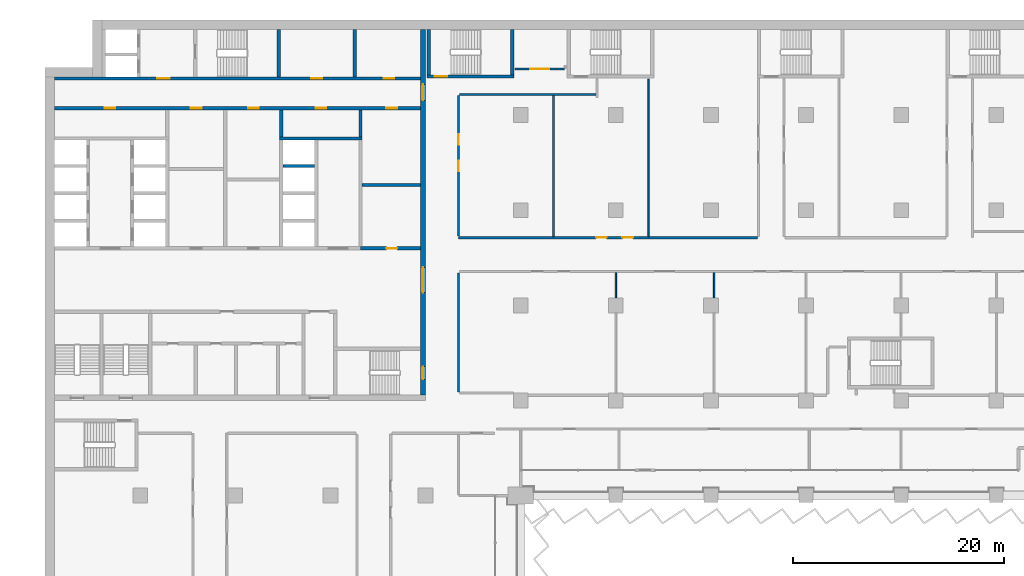
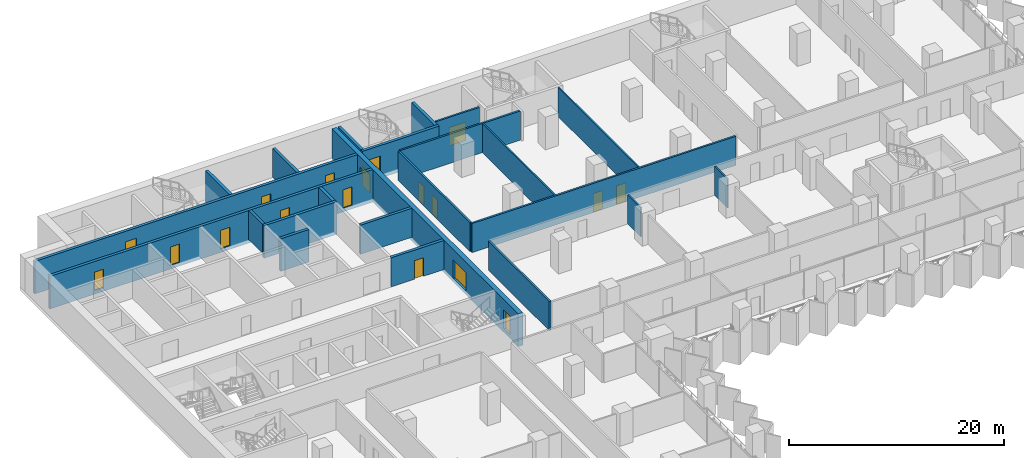
# One storey, part 16 of 29: 23 walls, 18 doors, 18 openings.
"""IFC4 building model written with IfcOpenShell, lengths in metres."""

from ifc_helpers import new_model, si_unit, direction, frame, frame_2d, origin, place, context, subcontext, project, spatial, rectangle, extrude, material, layer, layer_set, type_object, element, fill, save


model = new_model("IFC4")

# Units and contexts
model_context = context("Model", 3, precision=1e-05, world=origin(), true_north=direction((0.0, 1.0)))
body_context = subcontext(model_context, "Body", "Model", "MODEL_VIEW")
ifc_project = project(units=[si_unit("LENGTHUNIT", "METRE"), si_unit("AREAUNIT", "SQUARE_METRE"), si_unit("VOLUMEUNIT", "CUBIC_METRE"), si_unit("PLANEANGLEUNIT", "RADIAN"), si_unit("MASSUNIT", "GRAM", prefix="KILO")], contexts=[model_context])

# Site, building, storey
site_placement = place(None, origin())
site = spatial("IfcSite", under=ifc_project, at=site_placement, CompositionType="ELEMENT")
building_placement = place(site_placement, origin())
building = spatial("IfcBuilding", under=site, at=building_placement, Name="Hunhe Ridgeline Campus", CompositionType="ELEMENT")
storey_placement = place(building_placement, frame((0.0, 0.0, 65.39990234375)))
storey = spatial("IfcBuildingStorey", under=building, at=storey_placement, Name="L15", CompositionType="ELEMENT", Elevation=65.39990234375)

# Wall, opening, door
ifc_material_1 = material(Name="Masonry concrete blockwork", Category="masonry")
ifc_layer_1 = layer(ifc_material_1, 0.300048828125)
ifc_layer_set_1 = layer_set([ifc_layer_1], Name="Core room partition 300 concrete block")
wall_type_1 = type_object("IfcWallType", Name="Core room partition 300 concrete block", PredefinedType="PARTITIONING", material=ifc_layer_set_1)
wall_1_placement = place(storey_placement, frame((29.85009765625, 77.39990234375, 0.0), z_axis=(0.0, 0.0, 1.0), x_axis=(1.0, 0.0, 0.0)))
wall_1 = element("IfcWall", 1, at=wall_1_placement, inside=storey, type_object=wall_type_1, Name="L15 core partition 15", PredefinedType="PARTITIONING", context=body_context, shape_type="SweptSolid", body=[
    extrude(rectangle(XDim=5.64990234375, YDim=0.300048828125, at=frame_2d((2.824951171875, 0.0))), origin(), (0.0, 0.0, 1.0), 3.300048828125),
])
opening_1_placement = place(wall_1_placement, frame((2.449951171875, 0.0, 0.0)))
opening_1 = element("IfcOpeningElement", 2, at=opening_1_placement, cuts=wall_1, Name="Opening CD32", PredefinedType="OPENING", context=body_context, shape_type="SweptSolid", body=[
    extrude(rectangle(XDim=1.0, YDim=2.10009765625, at=frame_2d((0.5, 1.050048828125))), frame((0.0, 0.14990234375, 0.0), z_axis=(0.0, -1.0, 0.0), x_axis=(1.0, 0.0, 0.0)), (0.0, 0.0, 1.0), 0.300048828125),
])
ifc_material_2 = material(Name="Solid core timber door leaf", Category="wood")
door_type_1 = type_object("IfcDoorType", Name="Timber door 1000x2100", OperationType="SINGLE_SWING_LEFT", PredefinedType="DOOR", material=ifc_material_2)
door_1_placement = place(opening_1_placement, origin())
door_1 = element("IfcDoor", 3, at=door_1_placement, inside=storey, type_object=door_type_1, Name="L15 door ES0", OperationType="SINGLE_SWING_RIGHT", OverallHeight=2.10009765625, OverallWidth=1.0, PredefinedType="DOOR", context=body_context, shape_type="SweptSolid", body=[
    extrude(rectangle(XDim=1.0, YDim=2.10009765625, at=frame_2d((0.5, 1.050048828125))), frame((0.0, 0.02490234375, 0.0), z_axis=(0.0, -1.0, 0.0), x_axis=(1.0, 0.0, 0.0)), (0.0, 0.0, 1.0), 0.050048828125),
])
fill(opening_1, door_1)

# Walls
wall_2_placement = place(storey_placement, frame((30.0, 83.39990234375, 0.0), z_axis=(0.0, 0.0, 1.0), x_axis=(1.0, 0.0, 0.0)))
element("IfcWall", 4, at=wall_2_placement, inside=storey, type_object=wall_type_1, Name="L15 core partition 22", PredefinedType="PARTITIONING", context=body_context, shape_type="SweptSolid", body=[
    extrude(rectangle(XDim=5.5, YDim=0.300048828125, at=frame_2d((2.75, 0.0))), origin(), (0.0, 0.0, 1.0), 3.300048828125),
])
wall_3_placement = place(storey_placement, frame((22.35009765625, 87.949951171875, 0.0), z_axis=(0.0, 0.0, 1.0), x_axis=(0.0, 1.0, 0.0)))
element("IfcWall", 5, at=wall_3_placement, inside=storey, type_object=wall_type_1, Name="L15 core partition 55", PredefinedType="PARTITIONING", context=body_context, shape_type="SweptSolid", body=[
    extrude(rectangle(XDim=2.550048828125, YDim=0.300048828125, at=frame_2d((1.27490234375, 0.0))), origin(), (0.0, 0.0, 1.0), 3.300048828125),
])
wall_4_placement = place(storey_placement, frame((29.300048828125, 93.60009765625, 0.0), z_axis=(0.0, 0.0, 1.0), x_axis=(0.0, 1.0, 0.0)))
element("IfcWall", 6, at=wall_4_placement, inside=storey, type_object=wall_type_1, Name="L15 core partition 61", PredefinedType="PARTITIONING", context=body_context, shape_type="SweptSolid", body=[
    extrude(rectangle(XDim=4.5, YDim=0.300048828125, at=frame_2d((2.25, 0.0))), origin(), (0.0, 0.0, 1.0), 3.300048828125),
])
wall_5_placement = place(storey_placement, frame((29.85009765625, 87.949951171875, 0.0), z_axis=(0.0, 0.0, 1.0), x_axis=(0.0, 1.0, 0.0)))
element("IfcWall", 7, at=wall_5_placement, inside=storey, type_object=wall_type_1, Name="L15 core partition 63", PredefinedType="PARTITIONING", context=body_context, shape_type="SweptSolid", body=[
    extrude(rectangle(XDim=2.550048828125, YDim=0.300048828125, at=frame_2d((1.27490234375, 0.0))), origin(), (0.0, 0.0, 1.0), 3.300048828125),
])

# Wall, openings, doors
ifc_material_3 = material(Name="Concrete C80", Category="concrete")
ifc_layer_2 = layer(ifc_material_3, 0.5)
ifc_layer_set_2 = layer_set([ifc_layer_2], Name="Core wall 500 reinforced concrete C80")
wall_type_2 = type_object("IfcWallType", Name="Core wall 500 reinforced concrete C80", PredefinedType="SOLIDWALL", material=ifc_layer_set_2)
wall_6_placement = place(storey_placement, frame((35.75, 63.5, -0.39990234375), z_axis=(0.0, 0.0, 1.0), x_axis=(0.0, 1.0, 0.0)))
wall_6 = element("IfcWall", 8, at=wall_6_placement, inside=storey, type_object=wall_type_2, Name="L15 core wall 64", PredefinedType="SOLIDWALL", context=body_context, shape_type="SweptSolid", body=[
    extrude(rectangle(XDim=34.60009765625, YDim=0.5, at=frame_2d((17.300048828125, 0.0))), origin(), (0.0, 0.0, 1.0), 3.699951171875),
])
opening_2_placement = place(wall_6_placement, frame((9.699951171875, 0.0, 0.39990234375)))
opening_2 = element("IfcOpeningElement", 9, at=opening_2_placement, cuts=wall_6, Name="Opening CD4", PredefinedType="OPENING", context=body_context, shape_type="SweptSolid", body=[
    extrude(rectangle(XDim=2.39990234375, YDim=2.10009765625, at=frame_2d((1.199951171875, 1.050048828125))), frame((0.0, 0.25, 0.0), z_axis=(0.0, -1.0, 0.0), x_axis=(1.0, 0.0, 0.0)), (0.0, 0.0, 1.0), 0.5),
])
opening_3_placement = place(wall_6_placement, frame((27.89990234375, 0.0, 0.39990234375)))
opening_3 = element("IfcOpeningElement", 10, at=opening_3_placement, cuts=wall_6, Name="Opening CD5", PredefinedType="OPENING", context=body_context, shape_type="SweptSolid", body=[
    extrude(rectangle(XDim=1.5, YDim=2.10009765625, at=frame_2d((0.75, 1.050048828125))), frame((0.0, 0.25, 0.0), z_axis=(0.0, -1.0, 0.0), x_axis=(1.0, 0.0, 0.0)), (0.0, 0.0, 1.0), 0.5),
])
opening_4_placement = place(wall_6_placement, frame((1.5, 0.0, 0.39990234375)))
opening_4 = element("IfcOpeningElement", 11, at=opening_4_placement, cuts=wall_6, Name="Opening CD15", PredefinedType="OPENING", context=body_context, shape_type="SweptSolid", body=[
    extrude(rectangle(XDim=1.199951171875, YDim=2.10009765625, at=frame_2d((0.60009765625, 1.050048828125))), frame((0.0, 0.25, 0.0), z_axis=(0.0, -1.0, 0.0), x_axis=(1.0, 0.0, 0.0)), (0.0, 0.0, 1.0), 0.5),
])
ifc_material_4 = material(Name="Anodised aluminium and glass", Category="aluminium")
door_type_2 = type_object("IfcDoorType", Name="Glazed double door 2400x2100", OperationType="DOUBLE_DOOR_SINGLE_SWING", PredefinedType="DOOR", material=ifc_material_4)
door_2_placement = place(opening_2_placement, frame((2.39990234375, 0.0, 0.0), z_axis=(0.0, 0.0, 1.0), x_axis=(-1.0, 0.0, 0.0)))
door_2 = element("IfcDoor", 12, at=door_2_placement, inside=storey, type_object=door_type_2, Name="L15 door HALL-FLOOR", OperationType="DOUBLE_DOOR_SINGLE_SWING", OverallHeight=2.10009765625, OverallWidth=2.39990234375, PredefinedType="DOOR", context=body_context, shape_type="SweptSolid", body=[
    extrude(rectangle(XDim=2.39990234375, YDim=2.10009765625, at=frame_2d((1.199951171875, 1.050048828125))), frame((0.0, 0.02490234375, 0.0), z_axis=(0.0, -1.0, 0.0), x_axis=(1.0, 0.0, 0.0)), (0.0, 0.0, 1.0), 0.050048828125),
])
fill(opening_2, door_2)
ifc_material_5 = material(Name="Hollow metal fire door leaf")
door_type_3 = type_object("IfcDoorType", Name="Stair door 1200x2100 FD60", OperationType="SINGLE_SWING_LEFT", PredefinedType="DOOR", material=ifc_material_5)
door_3_placement = place(opening_4_placement, frame((1.199951171875, 0.0, 0.0), z_axis=(0.0, 0.0, 1.0), x_axis=(-1.0, 0.0, 0.0)))
door_3 = element("IfcDoor", 13, at=door_3_placement, inside=storey, type_object=door_type_3, Name="L15 door S2-FLOOR", OperationType="SINGLE_SWING_RIGHT", OverallHeight=2.10009765625, OverallWidth=1.199951171875, PredefinedType="DOOR", context=body_context, shape_type="SweptSolid", body=[
    extrude(rectangle(XDim=1.199951171875, YDim=2.10009765625, at=frame_2d((0.60009765625, 1.050048828125))), frame((0.0, 0.02490234375, 0.0), z_axis=(0.0, -1.0, 0.0), x_axis=(1.0, 0.0, 0.0)), (0.0, 0.0, 1.0), 0.050048828125),
])
fill(opening_4, door_3)
door_type_4 = type_object("IfcDoorType", Name="Timber door 1500x2100", OperationType="SINGLE_SWING_LEFT", PredefinedType="DOOR", material=ifc_material_2)
door_4_placement = place(opening_3_placement, frame((1.5, 0.0, 0.0), z_axis=(0.0, 0.0, 1.0), x_axis=(-1.0, 0.0, 0.0)))
door_4 = element("IfcDoor", 14, at=door_4_placement, inside=storey, type_object=door_type_4, Name="L15 door C1-FLOOR", OperationType="SINGLE_SWING_RIGHT", OverallHeight=2.10009765625, OverallWidth=1.5, PredefinedType="DOOR", context=body_context, shape_type="SweptSolid", body=[
    extrude(rectangle(XDim=1.5, YDim=2.10009765625, at=frame_2d((0.75, 1.050048828125))), frame((0.0, 0.02490234375, 0.0), z_axis=(0.0, -1.0, 0.0), x_axis=(1.0, 0.0, 0.0)), (0.0, 0.0, 1.0), 0.050048828125),
])
fill(opening_3, door_4)

ifc_material_6 = material(Name="Gypsum board partition")
ifc_layer_3 = layer(ifc_material_6, 0.199951171875)
ifc_layer_set_3 = layer_set([ifc_layer_3], Name="Corridor partition 200 gypsum board on steel studs")
wall_type_3 = type_object("IfcWallType", Name="Corridor partition 200 gypsum board on steel studs", PredefinedType="PARTITIONING", material=ifc_layer_set_3)
wall_7_placement = place(storey_placement, frame((39.10009765625, 78.39990234375, 0.0), z_axis=(0.0, 0.0, 1.0), x_axis=(1.0, 0.0, 0.0)))
wall_7 = element("IfcWall", 15, at=wall_7_placement, inside=storey, type_object=wall_type_3, Name="F-L15-wall-044", PredefinedType="PARTITIONING", context=body_context, shape_type="SweptSolid", body=[
    extrude(rectangle(XDim=28.2998046875, YDim=0.199951171875, at=frame_2d((14.14990234375, 0.0))), origin(), (0.0, 0.0, 1.0), 3.300048828125),
])
opening_5_placement = place(wall_7_placement, frame((13.02392578125, 0.0, 0.0)))
opening_5 = element("IfcOpeningElement", 16, at=opening_5_placement, cuts=wall_7, Name="Opening RD1-036", PredefinedType="OPENING", context=body_context, shape_type="SweptSolid", body=[
    extrude(rectangle(XDim=1.0, YDim=2.10009765625, at=frame_2d((0.5, 1.050048828125))), frame((0.0, 0.10009765625, 0.0), z_axis=(0.0, -1.0, 0.0), x_axis=(1.0, 0.0, 0.0)), (0.0, 0.0, 1.0), 0.199951171875),
])
opening_6_placement = place(wall_7_placement, frame((15.52392578125, 0.0, 0.0)))
opening_6 = element("IfcOpeningElement", 17, at=opening_6_placement, cuts=wall_7, Name="Opening RD1-037", PredefinedType="OPENING", context=body_context, shape_type="SweptSolid", body=[
    extrude(rectangle(XDim=1.0, YDim=2.10009765625, at=frame_2d((0.5, 1.050048828125))), frame((0.0, 0.10009765625, 0.0), z_axis=(0.0, -1.0, 0.0), x_axis=(1.0, 0.0, 0.0)), (0.0, 0.0, 1.0), 0.199951171875),
])
ifc_material_7 = material(Name="Timber door leaf", Category="wood")
door_type_5 = type_object("IfcDoorType", Name="Single fire door 1000x2100 timber FD60", OperationType="NOTDEFINED", PredefinedType="DOOR", material=ifc_material_7)
door_5_placement = place(opening_5_placement, frame((1.0, 0.0, 0.0), z_axis=(0.0, 0.0, 1.0), x_axis=(-1.0, 0.0, 0.0)))
door_5 = element("IfcDoor", 18, at=door_5_placement, inside=storey, type_object=door_type_5, Name="F-L15-door-036", OperationType="SINGLE_SWING_LEFT", OverallHeight=2.10009765625, OverallWidth=1.0, PredefinedType="DOOR", context=body_context, shape_type="SweptSolid", body=[
    extrude(rectangle(XDim=1.0, YDim=2.10009765625, at=frame_2d((0.5, 1.050048828125))), frame((0.0, 0.02490234375, 0.0), z_axis=(0.0, -1.0, 0.0), x_axis=(1.0, 0.0, 0.0)), (0.0, 0.0, 1.0), 0.050048828125),
])
fill(opening_5, door_5)
door_6_placement = place(opening_6_placement, frame((1.0, 0.0, 0.0), z_axis=(0.0, 0.0, 1.0), x_axis=(-1.0, 0.0, 0.0)))
door_6 = element("IfcDoor", 19, at=door_6_placement, inside=storey, type_object=door_type_5, Name="F-L15-door-037", OperationType="SINGLE_SWING_LEFT", OverallHeight=2.10009765625, OverallWidth=1.0, PredefinedType="DOOR", context=body_context, shape_type="SweptSolid", body=[
    extrude(rectangle(XDim=1.0, YDim=2.10009765625, at=frame_2d((0.5, 1.050048828125))), frame((0.0, 0.02490234375, 0.0), z_axis=(0.0, -1.0, 0.0), x_axis=(1.0, 0.0, 0.0)), (0.0, 0.0, 1.0), 0.050048828125),
])
fill(opening_6, door_6)

# Wall
wall_8_placement = place(storey_placement, frame((52.10009765625, 91.949951171875, 0.0), z_axis=(0.0, 0.0, 1.0), x_axis=(-1.0, 0.0, 0.0)))
element("IfcWall", 20, at=wall_8_placement, inside=storey, type_object=wall_type_3, Name="F-L15-wall-048", PredefinedType="PARTITIONING", context=body_context, shape_type="SweptSolid", body=[
    extrude(rectangle(XDim=12.900146484375, YDim=0.199951171875, at=frame_2d((6.4501953125, 0.0))), origin(), (0.0, 0.0, 1.0), 3.300048828125),
])

# Wall, opening, door
wall_9_placement = place(storey_placement, frame((44.4541015625, 94.35009765625, 0.0), z_axis=(0.0, 0.0, 1.0), x_axis=(1.0, 0.0, 0.0)))
wall_9 = element("IfcWall", 21, at=wall_9_placement, inside=storey, type_object=wall_type_3, Name="F-L15-wall-049", PredefinedType="PARTITIONING", context=body_context, shape_type="SweptSolid", body=[
    extrude(rectangle(XDim=4.6708984375, YDim=0.199951171875, at=frame_2d((2.33544921875, 0.0))), origin(), (0.0, 0.0, 1.0), 3.300048828125),
])
opening_7_placement = place(wall_9_placement, frame((1.435546875, 0.0, 0.0)))
opening_7 = element("IfcOpeningElement", 22, at=opening_7_placement, cuts=wall_9, Name="Opening RD2-048", PredefinedType="OPENING", context=body_context, shape_type="SweptSolid", body=[
    extrude(rectangle(XDim=1.800048828125, YDim=2.10009765625, at=frame_2d((0.89990234375, 1.050048828125))), frame((0.0, 0.10009765625, 0.0), z_axis=(0.0, -1.0, 0.0), x_axis=(1.0, 0.0, 0.0)), (0.0, 0.0, 1.0), 0.199951171875),
])
door_type_6 = type_object("IfcDoorType", Name="Double fire door 1800x2100 timber FD60", OperationType="DOUBLE_DOOR_SINGLE_SWING", PredefinedType="DOOR", material=ifc_material_7)
door_7_placement = place(opening_7_placement, origin())
door_7 = element("IfcDoor", 23, at=door_7_placement, inside=storey, type_object=door_type_6, Name="F-L15-door-048", OperationType="DOUBLE_DOOR_SINGLE_SWING", OverallHeight=2.10009765625, OverallWidth=1.800048828125, PredefinedType="DOOR", context=body_context, shape_type="SweptSolid", body=[
    extrude(rectangle(XDim=1.800048828125, YDim=2.10009765625, at=frame_2d((0.89990234375, 1.050048828125))), frame((0.0, 0.02490234375, 0.0), z_axis=(0.0, -1.0, 0.0), x_axis=(1.0, 0.0, 0.0)), (0.0, 0.0, 1.0), 0.050048828125),
])
fill(opening_7, door_7)

# Wall
wall_10_placement = place(storey_placement, frame((39.10009765625, 75.08349609375, 0.0), z_axis=(0.0, 0.0, 1.0), x_axis=(0.0, -1.0, 0.0)))
element("IfcWall", 24, at=wall_10_placement, inside=storey, type_object=wall_type_3, Name="F-L15-wall-059", PredefinedType="PARTITIONING", context=body_context, shape_type="SweptSolid", body=[
    extrude(rectangle(XDim=11.283447265625, YDim=0.199951171875, at=frame_2d((5.6416015625, 0.0))), origin(), (0.0, 0.0, 1.0), 3.300048828125),
])

# Wall, openings, doors
wall_11_placement = place(storey_placement, frame((39.10009765625, 91.85009765625, 0.0), z_axis=(0.0, 0.0, 1.0), x_axis=(0.0, -1.0, 0.0)))
wall_11 = element("IfcWall", 25, at=wall_11_placement, inside=storey, type_object=wall_type_3, Name="F-L15-wall-060", PredefinedType="PARTITIONING", context=body_context, shape_type="SweptSolid", body=[
    extrude(rectangle(XDim=13.302001953125, YDim=0.199951171875, at=frame_2d((6.65087890625, 0.0))), origin(), (0.0, 0.0, 1.0), 3.300048828125),
])
opening_8_placement = place(wall_11_placement, frame((6.15087890625, 0.0, 0.0)))
opening_8 = element("IfcOpeningElement", 26, at=opening_8_placement, cuts=wall_11, Name="Opening RD1-038", PredefinedType="OPENING", context=body_context, shape_type="SweptSolid", body=[
    extrude(rectangle(XDim=1.0, YDim=2.10009765625, at=frame_2d((0.5, 1.050048828125))), frame((0.0, 0.10009765625, 0.0), z_axis=(0.0, -1.0, 0.0), x_axis=(1.0, 0.0, 0.0)), (0.0, 0.0, 1.0), 0.199951171875),
])
opening_9_placement = place(wall_11_placement, frame((3.65087890625, 0.0, 0.0)))
opening_9 = element("IfcOpeningElement", 27, at=opening_9_placement, cuts=wall_11, Name="Opening RD1-043", PredefinedType="OPENING", context=body_context, shape_type="SweptSolid", body=[
    extrude(rectangle(XDim=1.0, YDim=2.10009765625, at=frame_2d((0.5, 1.050048828125))), frame((0.0, 0.10009765625, 0.0), z_axis=(0.0, -1.0, 0.0), x_axis=(1.0, 0.0, 0.0)), (0.0, 0.0, 1.0), 0.199951171875),
])
door_8_placement = place(opening_8_placement, frame((1.0, 0.0, 0.0), z_axis=(0.0, 0.0, 1.0), x_axis=(-1.0, 0.0, 0.0)))
door_8 = element("IfcDoor", 28, at=door_8_placement, inside=storey, type_object=door_type_5, Name="F-L15-door-038", OperationType="SINGLE_SWING_RIGHT", OverallHeight=2.10009765625, OverallWidth=1.0, PredefinedType="DOOR", context=body_context, shape_type="SweptSolid", body=[
    extrude(rectangle(XDim=1.0, YDim=2.10009765625, at=frame_2d((0.5, 1.050048828125))), frame((0.0, 0.02490234375, 0.0), z_axis=(0.0, -1.0, 0.0), x_axis=(1.0, 0.0, 0.0)), (0.0, 0.0, 1.0), 0.050048828125),
])
fill(opening_8, door_8)
door_9_placement = place(opening_9_placement, frame((1.0, 0.0, 0.0), z_axis=(0.0, 0.0, 1.0), x_axis=(-1.0, 0.0, 0.0)))
door_9 = element("IfcDoor", 29, at=door_9_placement, inside=storey, type_object=door_type_5, Name="F-L15-door-043", OperationType="SINGLE_SWING_RIGHT", OverallHeight=2.10009765625, OverallWidth=1.0, PredefinedType="DOOR", context=body_context, shape_type="SweptSolid", body=[
    extrude(rectangle(XDim=1.0, YDim=2.10009765625, at=frame_2d((0.5, 1.050048828125))), frame((0.0, 0.02490234375, 0.0), z_axis=(0.0, -1.0, 0.0), x_axis=(1.0, 0.0, 0.0)), (0.0, 0.0, 1.0), 0.050048828125),
])
fill(opening_9, door_9)

ifc_layer_4 = layer(ifc_material_3, 0.300048828125)
ifc_layer_set_4 = layer_set([ifc_layer_4], Name="Lobby wall 300 reinforced concrete C80")
wall_type_4 = type_object("IfcWallType", Name="Lobby wall 300 reinforced concrete C80", PredefinedType="SOLIDWALL", material=ifc_layer_set_4)
wall_12_placement = place(storey_placement, frame((0.89990234375, 90.64990234375, -0.39990234375), z_axis=(0.0, 0.0, 1.0), x_axis=(1.0, 0.0, 0.0)))
wall_12 = element("IfcWall", 30, at=wall_12_placement, inside=storey, type_object=wall_type_4, Name="L15 core wall 30", PredefinedType="SOLIDWALL", context=body_context, shape_type="SweptSolid", body=[
    extrude(rectangle(XDim=34.60009765625, YDim=0.300048828125, at=frame_2d((17.300048828125, 0.0))), origin(), (0.0, 0.0, 1.0), 3.699951171875),
])
opening_10_placement = place(wall_12_placement, frame((4.75, 0.0, 0.39990234375)))
opening_10 = element("IfcOpeningElement", 31, at=opening_10_placement, cuts=wall_12, Name="Opening CD26", PredefinedType="OPENING", context=body_context, shape_type="SweptSolid", body=[
    extrude(rectangle(XDim=1.0, YDim=2.10009765625, at=frame_2d((0.5, 1.050048828125))), frame((0.0, 0.14990234375, 0.0), z_axis=(0.0, -1.0, 0.0), x_axis=(1.0, 0.0, 0.0)), (0.0, 0.0, 1.0), 0.300048828125),
])
opening_11_placement = place(wall_12_placement, frame((24.699951171875, 0.0, 0.39990234375)))
opening_11 = element("IfcOpeningElement", 32, at=opening_11_placement, cuts=wall_12, Name="Opening CD27", PredefinedType="OPENING", context=body_context, shape_type="SweptSolid", body=[
    extrude(rectangle(XDim=1.0, YDim=2.10009765625, at=frame_2d((0.5, 1.050048828125))), frame((0.0, 0.14990234375, 0.0), z_axis=(0.0, -1.0, 0.0), x_axis=(1.0, 0.0, 0.0)), (0.0, 0.0, 1.0), 0.300048828125),
])
opening_12_placement = place(wall_12_placement, frame((12.89990234375, 0.0, 0.39990234375)))
opening_12 = element("IfcOpeningElement", 33, at=opening_12_placement, cuts=wall_12, Name="Opening CD29", PredefinedType="OPENING", context=body_context, shape_type="SweptSolid", body=[
    extrude(rectangle(XDim=1.0, YDim=2.10009765625, at=frame_2d((0.5, 1.050048828125))), frame((0.0, 0.14990234375, 0.0), z_axis=(0.0, -1.0, 0.0), x_axis=(1.0, 0.0, 0.0)), (0.0, 0.0, 1.0), 0.300048828125),
])
opening_13_placement = place(wall_12_placement, frame((18.300048828125, 0.0, 0.39990234375)))
opening_13 = element("IfcOpeningElement", 34, at=opening_13_placement, cuts=wall_12, Name="Opening CD31", PredefinedType="OPENING", context=body_context, shape_type="SweptSolid", body=[
    extrude(rectangle(XDim=1.0, YDim=2.10009765625, at=frame_2d((0.5, 1.050048828125))), frame((0.0, 0.14990234375, 0.0), z_axis=(0.0, -1.0, 0.0), x_axis=(1.0, 0.0, 0.0)), (0.0, 0.0, 1.0), 0.300048828125),
])
opening_14_placement = place(wall_12_placement, frame((31.39990234375, 0.0, 0.39990234375)))
opening_14 = element("IfcOpeningElement", 35, at=opening_14_placement, cuts=wall_12, Name="Opening CD33", PredefinedType="OPENING", context=body_context, shape_type="SweptSolid", body=[
    extrude(rectangle(XDim=1.0, YDim=2.10009765625, at=frame_2d((0.5, 1.050048828125))), frame((0.0, 0.14990234375, 0.0), z_axis=(0.0, -1.0, 0.0), x_axis=(1.0, 0.0, 0.0)), (0.0, 0.0, 1.0), 0.300048828125),
])
door_10_placement = place(opening_10_placement, frame((1.0, 0.0, 0.0), z_axis=(0.0, 0.0, 1.0), x_axis=(-1.0, 0.0, 0.0)))
door_10 = element("IfcDoor", 36, at=door_10_placement, inside=storey, type_object=door_type_1, Name="L15 door NR-0", OperationType="SINGLE_SWING_RIGHT", OverallHeight=2.10009765625, OverallWidth=1.0, PredefinedType="DOOR", context=body_context, shape_type="SweptSolid", body=[
    extrude(rectangle(XDim=1.0, YDim=2.10009765625, at=frame_2d((0.5, 1.050048828125))), frame((0.0, 0.02490234375, 0.0), z_axis=(0.0, -1.0, 0.0), x_axis=(1.0, 0.0, 0.0)), (0.0, 0.0, 1.0), 0.050048828125),
])
fill(opening_10, door_10)
door_11_placement = place(opening_11_placement, frame((1.0, 0.0, 0.0), z_axis=(0.0, 0.0, 1.0), x_axis=(-1.0, 0.0, 0.0)))
door_11 = element("IfcDoor", 37, at=door_11_placement, inside=storey, type_object=door_type_1, Name="L15 door NR-1", OperationType="SINGLE_SWING_LEFT", OverallHeight=2.10009765625, OverallWidth=1.0, PredefinedType="DOOR", context=body_context, shape_type="SweptSolid", body=[
    extrude(rectangle(XDim=1.0, YDim=2.10009765625, at=frame_2d((0.5, 1.050048828125))), frame((0.0, 0.02490234375, 0.0), z_axis=(0.0, -1.0, 0.0), x_axis=(1.0, 0.0, 0.0)), (0.0, 0.0, 1.0), 0.050048828125),
])
fill(opening_11, door_11)
door_12_placement = place(opening_12_placement, frame((1.0, 0.0, 0.0), z_axis=(0.0, 0.0, 1.0), x_axis=(-1.0, 0.0, 0.0)))
door_12 = element("IfcDoor", 38, at=door_12_placement, inside=storey, type_object=door_type_1, Name="L15 door VD-HR1", OperationType="SINGLE_SWING_LEFT", OverallHeight=2.10009765625, OverallWidth=1.0, PredefinedType="DOOR", context=body_context, shape_type="SweptSolid", body=[
    extrude(rectangle(XDim=1.0, YDim=2.10009765625, at=frame_2d((0.5, 1.050048828125))), frame((0.0, 0.02490234375, 0.0), z_axis=(0.0, -1.0, 0.0), x_axis=(1.0, 0.0, 0.0)), (0.0, 0.0, 1.0), 0.050048828125),
])
fill(opening_12, door_12)
door_13_placement = place(opening_13_placement, frame((1.0, 0.0, 0.0), z_axis=(0.0, 0.0, 1.0), x_axis=(-1.0, 0.0, 0.0)))
door_13 = element("IfcDoor", 39, at=door_13_placement, inside=storey, type_object=door_type_1, Name="L15 door VD-HR3", OperationType="SINGLE_SWING_LEFT", OverallHeight=2.10009765625, OverallWidth=1.0, PredefinedType="DOOR", context=body_context, shape_type="SweptSolid", body=[
    extrude(rectangle(XDim=1.0, YDim=2.10009765625, at=frame_2d((0.5, 1.050048828125))), frame((0.0, 0.02490234375, 0.0), z_axis=(0.0, -1.0, 0.0), x_axis=(1.0, 0.0, 0.0)), (0.0, 0.0, 1.0), 0.050048828125),
])
fill(opening_13, door_13)
door_14_placement = place(opening_14_placement, frame((1.0, 0.0, 0.0), z_axis=(0.0, 0.0, 1.0), x_axis=(-1.0, 0.0, 0.0)))
door_14 = element("IfcDoor", 40, at=door_14_placement, inside=storey, type_object=door_type_1, Name="L15 door ES1", OperationType="SINGLE_SWING_RIGHT", OverallHeight=2.10009765625, OverallWidth=1.0, PredefinedType="DOOR", context=body_context, shape_type="SweptSolid", body=[
    extrude(rectangle(XDim=1.0, YDim=2.10009765625, at=frame_2d((0.5, 1.050048828125))), frame((0.0, 0.02490234375, 0.0), z_axis=(0.0, -1.0, 0.0), x_axis=(1.0, 0.0, 0.0)), (0.0, 0.0, 1.0), 0.050048828125),
])
fill(opening_14, door_14)

# Walls
ifc_layer_5 = layer(ifc_material_6, 0.14990234375)
ifc_layer_set_5 = layer_set([ifc_layer_5], Name="Room partition 150 gypsum board on steel studs")
wall_type_5 = type_object("IfcWallType", Name="Room partition 150 gypsum board on steel studs", PredefinedType="PARTITIONING", material=ifc_layer_set_5)
wall_13_placement = place(storey_placement, frame((48.10009765625, 91.85009765625, 0.0), z_axis=(0.0, 0.0, 1.0), x_axis=(0.0, -1.0, 0.0)))
element("IfcWall", 41, at=wall_13_placement, inside=storey, type_object=wall_type_5, Name="F-L15-wall-062", PredefinedType="PARTITIONING", context=body_context, shape_type="SweptSolid", body=[
    extrude(rectangle(XDim=13.35009765625, YDim=0.14990234375, at=frame_2d((6.675048828125, 0.0))), origin(), (0.0, 0.0, 1.0), 3.300048828125),
])
wall_14_placement = place(storey_placement, frame((54.0, 75.10009765625, 0.0), z_axis=(0.0, 0.0, 1.0), x_axis=(0.0, -1.0, 0.0)))
element("IfcWall", 42, at=wall_14_placement, inside=storey, type_object=wall_type_5, Name="F-L15-wall-066", PredefinedType="PARTITIONING", context=body_context, shape_type="SweptSolid", body=[
    extrude(rectangle(XDim=2.400146484375, YDim=0.14990234375, at=frame_2d((1.2001953125, 0.0))), origin(), (0.0, 0.0, 1.0), 3.300048828125),
])
wall_15_placement = place(storey_placement, frame((57.10009765625, 93.39599609375, 0.0), z_axis=(0.0, 0.0, 1.0), x_axis=(0.0, -1.0, 0.0)))
element("IfcWall", 43, at=wall_15_placement, inside=storey, type_object=wall_type_5, Name="F-L15-wall-068", PredefinedType="PARTITIONING", context=body_context, shape_type="SweptSolid", body=[
    extrude(rectangle(XDim=14.89599609375, YDim=0.14990234375, at=frame_2d((7.447998046875, 0.0))), origin(), (0.0, 0.0, 1.0), 3.300048828125),
])
wall_16_placement = place(storey_placement, frame((63.300048828125, 75.10009765625, 0.0), z_axis=(0.0, 0.0, 1.0), x_axis=(0.0, -1.0, 0.0)))
element("IfcWall", 44, at=wall_16_placement, inside=storey, type_object=wall_type_5, Name="F-L15-wall-070", PredefinedType="PARTITIONING", context=body_context, shape_type="SweptSolid", body=[
    extrude(rectangle(XDim=2.400146484375, YDim=0.14990234375, at=frame_2d((1.2001953125, 0.0))), origin(), (0.0, 0.0, 1.0), 3.300048828125),
])
ifc_layer_6 = layer(ifc_material_3, 0.300048828125)
ifc_layer_set_6 = layer_set([ifc_layer_6], Name="Shaft wall 300 reinforced concrete C80")
wall_type_6 = type_object("IfcWallType", Name="Shaft wall 300 reinforced concrete C80", PredefinedType="SOLIDWALL", material=ifc_layer_set_6)
wall_17_placement = place(storey_placement, frame((22.5, 85.199951171875, -0.39990234375), z_axis=(0.0, 0.0, 1.0), x_axis=(1.0, 0.0, 0.0)))
element("IfcWall", 45, at=wall_17_placement, inside=storey, type_object=wall_type_6, Name="L15 core wall 27", PredefinedType="SOLIDWALL", context=body_context, shape_type="SweptSolid", body=[
    extrude(rectangle(XDim=3.0, YDim=0.300048828125, at=frame_2d((1.5, 0.0))), origin(), (0.0, 0.0, 1.0), 3.699951171875),
])
wall_18_placement = place(storey_placement, frame((22.199951171875, 87.800048828125, -0.39990234375), z_axis=(0.0, 0.0, 1.0), x_axis=(1.0, 0.0, 0.0)))
element("IfcWall", 46, at=wall_18_placement, inside=storey, type_object=wall_type_6, Name="L15 core wall 29", PredefinedType="SOLIDWALL", context=body_context, shape_type="SweptSolid", body=[
    extrude(rectangle(XDim=7.800048828125, YDim=0.300048828125, at=frame_2d((3.89990234375, 0.0))), origin(), (0.0, 0.0, 1.0), 3.699951171875),
])

# Wall, openings, doors
wall_19_placement = place(storey_placement, frame((0.89990234375, 93.449951171875, -0.39990234375), z_axis=(0.0, 0.0, 1.0), x_axis=(1.0, 0.0, 0.0)))
wall_19 = element("IfcWall", 47, at=wall_19_placement, inside=storey, type_object=wall_type_6, Name="L15 core wall 31", PredefinedType="SOLIDWALL", context=body_context, shape_type="SweptSolid", body=[
    extrude(rectangle(XDim=34.60009765625, YDim=0.300048828125, at=frame_2d((17.300048828125, 0.0))), origin(), (0.0, 0.0, 1.0), 3.699951171875),
])
opening_15_placement = place(wall_19_placement, frame((9.699951171875, 0.0, 0.39990234375)))
opening_15 = element("IfcOpeningElement", 48, at=opening_15_placement, cuts=wall_19, Name="Opening CD3", PredefinedType="OPENING", context=body_context, shape_type="SweptSolid", body=[
    extrude(rectangle(XDim=1.199951171875, YDim=2.10009765625, at=frame_2d((0.60009765625, 1.050048828125))), frame((0.0, 0.14990234375, 0.0), z_axis=(0.0, -1.0, 0.0), x_axis=(1.0, 0.0, 0.0)), (0.0, 0.0, 1.0), 0.300048828125),
])
opening_16_placement = place(wall_19_placement, frame((24.300048828125, 0.0, 0.39990234375)))
opening_16 = element("IfcOpeningElement", 49, at=opening_16_placement, cuts=wall_19, Name="Opening CD34", PredefinedType="OPENING", context=body_context, shape_type="SweptSolid", body=[
    extrude(rectangle(XDim=1.0, YDim=2.10009765625, at=frame_2d((0.5, 1.050048828125))), frame((0.0, 0.14990234375, 0.0), z_axis=(0.0, -1.0, 0.0), x_axis=(1.0, 0.0, 0.0)), (0.0, 0.0, 1.0), 0.300048828125),
])
opening_17_placement = place(wall_19_placement, frame((31.125, 0.0, 0.39990234375)))
opening_17 = element("IfcOpeningElement", 50, at=opening_17_placement, cuts=wall_19, Name="Opening CD35", PredefinedType="OPENING", context=body_context, shape_type="SweptSolid", body=[
    extrude(rectangle(XDim=1.0, YDim=2.10009765625, at=frame_2d((0.5, 1.050048828125))), frame((0.0, 0.14990234375, 0.0), z_axis=(0.0, -1.0, 0.0), x_axis=(1.0, 0.0, 0.0)), (0.0, 0.0, 1.0), 0.300048828125),
])
door_type_7 = type_object("IfcDoorType", Name="Lobby door 1200x2100 FD60", OperationType="SINGLE_SWING_LEFT", PredefinedType="DOOR", material=ifc_material_5)
door_15_placement = place(opening_15_placement, frame((1.199951171875, 0.0, 0.0), z_axis=(0.0, 0.0, 1.0), x_axis=(-1.0, 0.0, 0.0)))
door_15 = element("IfcDoor", 51, at=door_15_placement, inside=storey, type_object=door_type_7, Name="L15 door FF-C1", OperationType="SINGLE_SWING_LEFT", OverallHeight=2.10009765625, OverallWidth=1.199951171875, PredefinedType="DOOR", context=body_context, shape_type="SweptSolid", body=[
    extrude(rectangle(XDim=1.199951171875, YDim=2.10009765625, at=frame_2d((0.60009765625, 1.050048828125))), frame((0.0, 0.02490234375, 0.0), z_axis=(0.0, -1.0, 0.0), x_axis=(1.0, 0.0, 0.0)), (0.0, 0.0, 1.0), 0.050048828125),
])
fill(opening_15, door_15)
door_16_placement = place(opening_16_placement, origin())
door_16 = element("IfcDoor", 52, at=door_16_placement, inside=storey, type_object=door_type_1, Name="L15 door NB0", OperationType="SINGLE_SWING_RIGHT", OverallHeight=2.10009765625, OverallWidth=1.0, PredefinedType="DOOR", context=body_context, shape_type="SweptSolid", body=[
    extrude(rectangle(XDim=1.0, YDim=2.10009765625, at=frame_2d((0.5, 1.050048828125))), frame((0.0, 0.02490234375, 0.0), z_axis=(0.0, -1.0, 0.0), x_axis=(1.0, 0.0, 0.0)), (0.0, 0.0, 1.0), 0.050048828125),
])
fill(opening_16, door_16)
door_17_placement = place(opening_17_placement, origin())
door_17 = element("IfcDoor", 53, at=door_17_placement, inside=storey, type_object=door_type_1, Name="L15 door NB1", OperationType="SINGLE_SWING_LEFT", OverallHeight=2.10009765625, OverallWidth=1.0, PredefinedType="DOOR", context=body_context, shape_type="SweptSolid", body=[
    extrude(rectangle(XDim=1.0, YDim=2.10009765625, at=frame_2d((0.5, 1.050048828125))), frame((0.0, 0.02490234375, 0.0), z_axis=(0.0, -1.0, 0.0), x_axis=(1.0, 0.0, 0.0)), (0.0, 0.0, 1.0), 0.050048828125),
])
fill(opening_17, door_17)

# Wall, opening, door
ifc_layer_7 = layer(ifc_material_3, 0.300048828125)
ifc_layer_set_7 = layer_set([ifc_layer_7], Name="Stair wall 300 reinforced concrete C80")
wall_type_7 = type_object("IfcWallType", Name="Stair wall 300 reinforced concrete C80", PredefinedType="SOLIDWALL", material=ifc_layer_set_7)
wall_20_placement = place(storey_placement, frame((36.14990234375, 93.64990234375, -0.39990234375), z_axis=(0.0, 0.0, 1.0), x_axis=(1.0, 0.0, 0.0)))
wall_20 = element("IfcWall", 54, at=wall_20_placement, inside=storey, type_object=wall_type_7, Name="L15 core wall 32", PredefinedType="SOLIDWALL", context=body_context, shape_type="SweptSolid", body=[
    extrude(rectangle(XDim=8.2001953125, YDim=0.300048828125, at=frame_2d((4.10009765625, 0.0))), origin(), (0.0, 0.0, 1.0), 3.699951171875),
])
opening_18_placement = place(wall_20_placement, frame((0.699951171875, 0.0, 0.39990234375)))
opening_18 = element("IfcOpeningElement", 55, at=opening_18_placement, cuts=wall_20, Name="Opening CD17", PredefinedType="OPENING", context=body_context, shape_type="SweptSolid", body=[
    extrude(rectangle(XDim=1.199951171875, YDim=2.10009765625, at=frame_2d((0.60009765625, 1.050048828125))), frame((0.0, 0.14990234375, 0.0), z_axis=(0.0, -1.0, 0.0), x_axis=(1.0, 0.0, 0.0)), (0.0, 0.0, 1.0), 0.300048828125),
])
door_18_placement = place(opening_18_placement, frame((1.199951171875, 0.0, 0.0), z_axis=(0.0, 0.0, 1.0), x_axis=(-1.0, 0.0, 0.0)))
door_18 = element("IfcDoor", 56, at=door_18_placement, inside=storey, type_object=door_type_3, Name="L15 door E1", OperationType="SINGLE_SWING_RIGHT", OverallHeight=2.10009765625, OverallWidth=1.199951171875, PredefinedType="DOOR", context=body_context, shape_type="SweptSolid", body=[
    extrude(rectangle(XDim=1.199951171875, YDim=2.10009765625, at=frame_2d((0.60009765625, 1.050048828125))), frame((0.0, 0.02490234375, 0.0), z_axis=(0.0, -1.0, 0.0), x_axis=(1.0, 0.0, 0.0)), (0.0, 0.0, 1.0), 0.050048828125),
])
fill(opening_18, door_18)

# Walls
wall_21_placement = place(storey_placement, frame((22.10009765625, 93.60009765625, -0.39990234375), z_axis=(0.0, 0.0, 1.0), x_axis=(0.0, 1.0, 0.0)))
element("IfcWall", 57, at=wall_21_placement, inside=storey, type_object=wall_type_7, Name="L15 core wall 53", PredefinedType="SOLIDWALL", context=body_context, shape_type="SweptSolid", body=[
    extrude(rectangle(XDim=4.5, YDim=0.300048828125, at=frame_2d((2.25, 0.0))), origin(), (0.0, 0.0, 1.0), 3.699951171875),
])
for number, where, z_axis, x_axis, name in (
    (58, (36.300048828125, 93.800048828125, -0.39990234375), (0.0, 0.0, 1.0), (0.0, 1.0, 0.0), "L15 core wall 65"),
    (59, (44.199951171875, 93.800048828125, -0.39990234375), (0.0, 0.0, 1.0), (0.0, 1.0, 0.0), "L15 core wall 66"),
):
    element("IfcWall", number, at=place(storey_placement, frame(where, z_axis=z_axis, x_axis=x_axis)), inside=storey, type_object=wall_type_7, Name=name, PredefinedType="SOLIDWALL", context=body_context, shape_type="SweptSolid", body=[
        extrude(rectangle(XDim=4.300048828125, YDim=0.300048828125, at=frame_2d((2.14990234375, 0.0))), origin(), (0.0, 0.0, 1.0), 3.699951171875),
    ])

save(model, "model.ifc")
